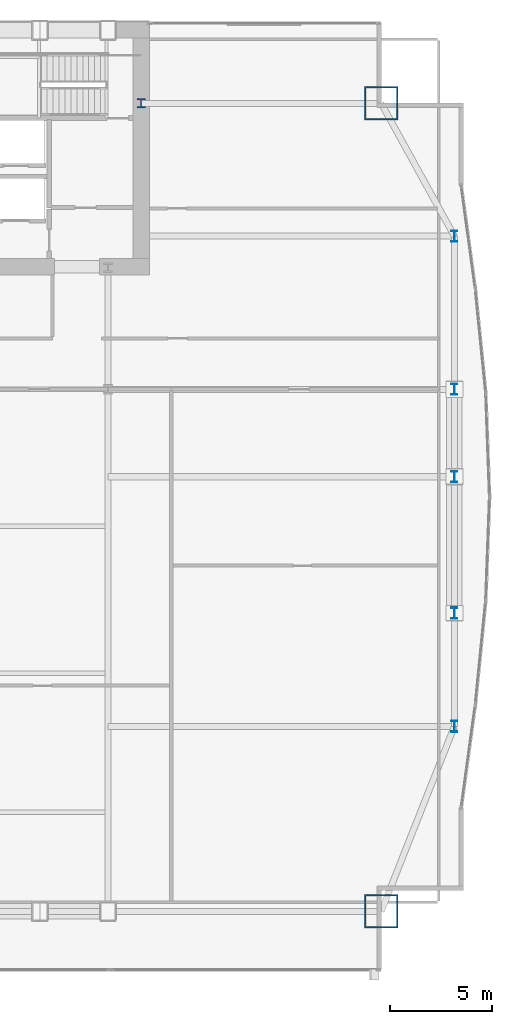
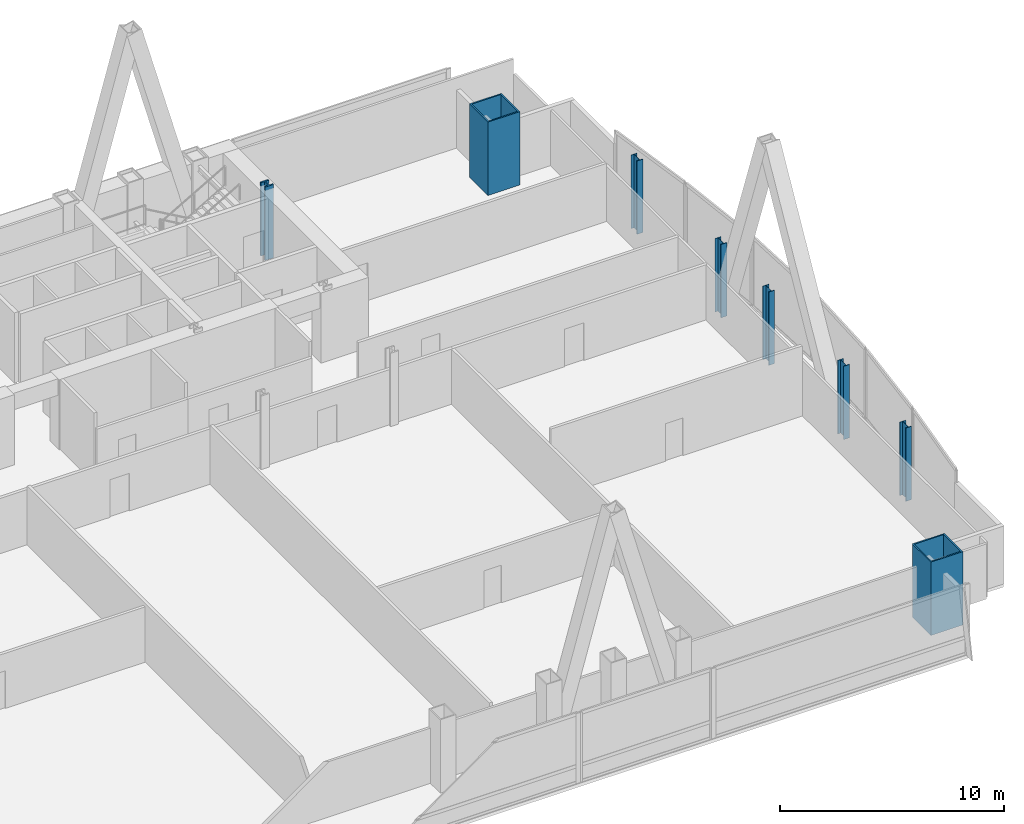
# One storey, part 4 of 35: 8 columns.
"""IFC4 building model written with IfcOpenShell, lengths in metres."""

import ifcopenshell
import ifcopenshell.guid

model = None  # the IFC model being written
_history = None  # IfcOwnerHistory: only IFC2X3 demands one
_inside = {}  # id of a spatial element -> (the spatial element, [elements in it])
_under = {}  # id of a project, library or spatial element -> (it, [spatial elements below it])
_declared = {}  # id of a project -> (the project, [libraries it declares])
_typed = {}  # id of a type object -> (the type object, [elements of that type])
_made_of = {}  # id of a material, layer set ... -> (it, [elements and type objects made of it])


def new_model(schema):
    """Start an empty IFC model of exactly this schema.

    Asked for "IFC4X3", IfcOpenShell would pick the latest addendum, in which some entities
    have other attributes; the version numbers below select the first issue.
    IFC2X3 requires an IfcOwnerHistory on every rooted entity: one is made here for all.
    """
    global model, _history
    if schema == "IFC4X3":
        model = ifcopenshell.file(schema_version=(4, 3, 0, 0))
    else:
        model = ifcopenshell.file(schema=schema)
    _inside.clear()
    _under.clear()
    _declared.clear()
    _typed.clear()
    _made_of.clear()
    _history = None
    if model.schema == "IFC2X3":
        org = make("IfcOrganization", Name="unknown")
        user = make(
            "IfcPersonAndOrganization",
            ThePerson=make("IfcPerson", FamilyName="unknown"),
            TheOrganization=org,
        )
        app = make(
            "IfcApplication",
            ApplicationDeveloper=org,
            Version="unknown",
            ApplicationFullName="unknown",
            ApplicationIdentifier="unknown",
        )
        _history = make(
            "IfcOwnerHistory",
            OwningUser=user,
            OwningApplication=app,
            ChangeAction="ADDED",
            CreationDate=0,
        )
    return model


def make(cls, **values):
    """One entity of the class cls with the attributes given. An attribute that is None is left unset."""
    return model.create_entity(
        cls, **{name: value for name, value in values.items() if value is not None}
    )


def rooted(cls, **values):
    """An entity with a GlobalId (a new one), such as an element, a storey or a relation."""
    return make(cls, GlobalId=ifcopenshell.guid.new(), OwnerHistory=_history, **values)


def si_unit(unit_type, name, prefix=None):
    """IfcSIUnit, for example si_unit("LENGTHUNIT", "METRE", prefix="MILLI")."""
    return make("IfcSIUnit", UnitType=unit_type, Prefix=prefix, Name=name)


def assignment(units):
    """IfcUnitAssignment: the units of a project."""
    return None if units is None else make("IfcUnitAssignment", Units=units)


def point(xyz):
    """IfcCartesianPoint."""
    return None if xyz is None else make("IfcCartesianPoint", Coordinates=xyz)


def direction(xyz):
    """IfcDirection."""
    return None if xyz is None else make("IfcDirection", DirectionRatios=xyz)


def frame(location, z_axis=None, x_axis=None):
    """IfcAxis2Placement3D, a coordinate frame: its origin and axes. An axis left out is left unset."""
    return make(
        "IfcAxis2Placement3D",
        Location=point(location),
        Axis=direction(z_axis),
        RefDirection=direction(x_axis),
    )


def frame_2d(location, x_axis=None):
    """IfcAxis2Placement2D, a coordinate frame in the plane: its origin and x axis."""
    return make(
        "IfcAxis2Placement2D", Location=point(location), RefDirection=direction(x_axis)
    )


def origin():
    """The frame at (0, 0, 0) with its axes left unset."""
    return frame((0.0, 0.0, 0.0))


def origin_2d():
    """The frame at (0, 0) in the plane with its x axis left unset."""
    return frame_2d((0.0, 0.0))


def place(relative_to, where):
    """IfcLocalPlacement: puts the frame where relative to a parent placement (None: the world)."""
    return make(
        "IfcLocalPlacement", PlacementRelTo=relative_to, RelativePlacement=where
    )


def context(
    kind, dimensions, precision=None, world=None, true_north=None, identifier=None
):
    """IfcGeometricRepresentationContext, for example the 3D "Model" context."""
    return make(
        "IfcGeometricRepresentationContext",
        ContextIdentifier=identifier,
        ContextType=kind,
        CoordinateSpaceDimension=dimensions,
        Precision=precision,
        WorldCoordinateSystem=world,
        TrueNorth=true_north,
    )


def subcontext(parent, identifier, kind, view, scale=None):
    """IfcGeometricRepresentationSubContext, for example "Body" below "Model"."""
    return make(
        "IfcGeometricRepresentationSubContext",
        ContextIdentifier=identifier,
        ContextType=kind,
        ParentContext=parent,
        TargetScale=scale,
        TargetView=view,
    )


def project(units=None, contexts=None):
    """IfcProject with its units and contexts."""
    return rooted(
        "IfcProject",
        Name="project",
        RepresentationContexts=contexts,
        UnitsInContext=assignment(units),
    )


def spatial(cls, under=None, at=None, **own):
    """A site, building, storey or space (cls), placed at a placement, below another one or the project."""
    s = rooted(cls, ObjectPlacement=at, **own)
    if under is not None:
        _under.setdefault(under.id(), (under, []))[1].append(s)
    return s


def profile(cls, at=None, kind="AREA", **sizes):
    """A parametric profile (cls). Its sizes go by their IFC names, for example OverallWidth=200.0."""
    return make(cls, ProfileType=kind, Position=at, **sizes)


def hollow_rectangle(**sizes):
    """IfcRectangleHollowProfileDef."""
    return profile("IfcRectangleHollowProfileDef", **sizes)


def i_section(**sizes):
    """IfcIShapeProfileDef."""
    return profile("IfcIShapeProfileDef", **sizes)


def extrude(swept, where, along, depth):
    """IfcExtrudedAreaSolid: the profile swept, set in the frame where, extruded along a direction by depth."""
    return make(
        "IfcExtrudedAreaSolid",
        SweptArea=swept,
        Position=where,
        ExtrudedDirection=direction(along),
        Depth=depth,
    )


def shape(context_of_items, identifier, shape_type, items):
    """IfcShapeRepresentation: the items that make up one representation, for example the "Body"."""
    return make(
        "IfcShapeRepresentation",
        ContextOfItems=context_of_items,
        RepresentationIdentifier=identifier,
        RepresentationType=shape_type,
        Items=items,
    )


def material(Name=None, Category=None):
    """IfcMaterial."""
    return make("IfcMaterial", Name=Name, Category=Category)


def material_profile(
    of_material, cross_section, Name=None, Category=None, Priority=None
):
    """IfcMaterialProfile: a cross section and its material."""
    return make(
        "IfcMaterialProfile",
        Name=Name,
        Material=of_material,
        Profile=cross_section,
        Priority=Priority,
        Category=Category,
    )


def profile_set(profiles, Name=None, composite=None):
    """IfcMaterialProfileSet."""
    return make(
        "IfcMaterialProfileSet",
        Name=Name,
        MaterialProfiles=profiles,
        CompositeProfile=composite,
    )


def made_of(thing, what):
    """Note that an element or type object is made of a material, layer set ...; save() writes the relation."""
    if what is not None:
        _made_of.setdefault(what.id(), (what, []))[1].append(thing)
    return thing


def type_object(cls, material=None, **own):
    """A type object (cls), such as IfcWallType, which elements share."""
    return made_of(rooted(cls, **own), material)


def element(
    cls,
    number,
    at=None,
    inside=None,
    cuts=None,
    type_object=None,
    material=None,
    context=None,
    identifier="Body",
    shape_type=None,
    held_by="IfcProductDefinitionShape",
    body=None,
    shapes=None,
    **own,
):
    """One element of the class cls, such as IfcWall. Its Tag is "e" and its number.

    at: its placement. inside: the storey or other place that contains it. cuts: it is an
    opening in that element (IfcRelVoidsElement). A single representation is given by context,
    identifier, shape_type and body (its items); several are given by shapes. held_by: the class
    of the entity that holds the representations. save() writes the other relations.
    """
    e = rooted(cls, Tag="e%d" % number, ObjectPlacement=at, **own)
    if body is not None:
        shapes = [shape(context, identifier, shape_type, body)]
    if shapes is not None:
        e.Representation = make(held_by, Representations=shapes)
    if inside is not None:
        _inside.setdefault(inside.id(), (inside, []))[1].append(e)
    if cuts is not None:
        rooted(
            "IfcRelVoidsElement", RelatingBuildingElement=cuts, RelatedOpeningElement=e
        )
    if type_object is not None:
        _typed.setdefault(type_object.id(), (type_object, []))[1].append(e)
    return made_of(e, material)


def aggregate(whole, parts):
    """IfcRelAggregates: a whole, such as a stair, and the parts it consists of."""
    return rooted("IfcRelAggregates", RelatingObject=whole, RelatedObjects=parts)


def save(model, path):
    """Write the relations noted so far, then the file.

    IfcRelAggregates (storeys below a building ...), IfcRelContainedInSpatialStructure (elements
    in a storey), IfcRelDefinesByType, IfcRelAssociatesMaterial and IfcRelDeclares: one each for
    every whole, place, type object, material and project.
    """
    for whole, parts in _under.values():
        aggregate(whole, parts)
    for where, things in _inside.values():
        rooted(
            "IfcRelContainedInSpatialStructure",
            RelatedElements=things,
            RelatingStructure=where,
        )
    for kind, things in _typed.values():
        rooted("IfcRelDefinesByType", RelatedObjects=things, RelatingType=kind)
    for what, things in _made_of.values():
        rooted("IfcRelAssociatesMaterial", RelatedObjects=things, RelatingMaterial=what)
    for by, libraries in _declared.values():
        rooted("IfcRelDeclares", RelatingContext=by, RelatedDefinitions=libraries)
    model.write(path)


model = new_model("IFC4")

# Units and contexts
model_context = context("Model", 3, precision=1e-05, world=origin(), true_north=direction((0.0, 1.0)))
body_context = subcontext(model_context, "Body", "Model", "MODEL_VIEW")
ifc_project = project(units=[si_unit("LENGTHUNIT", "METRE"), si_unit("AREAUNIT", "SQUARE_METRE"), si_unit("VOLUMEUNIT", "CUBIC_METRE"), si_unit("PLANEANGLEUNIT", "RADIAN"), si_unit("MASSUNIT", "GRAM", prefix="KILO")], contexts=[model_context])

# Site, building, storey
site_placement = place(None, origin())
site = spatial("IfcSite", under=ifc_project, at=site_placement, CompositionType="ELEMENT")
building_placement = place(site_placement, origin())
building = spatial("IfcBuilding", under=site, at=building_placement, Name="Khoronbel Lancet Exchange", CompositionType="ELEMENT")
storey_placement = place(building_placement, frame((0.0, 0.0, 37.800048828125)))
storey = spatial("IfcBuildingStorey", under=building, at=storey_placement, Name="L08", CompositionType="ELEMENT", Elevation=37.800048828125)

# Columns
ifc_material_1 = material(Name="Steel S460", Category="steel")
ifc_material_profile_1 = material_profile(ifc_material_1, i_section(OverallWidth=0.424072265625, OverallDepth=0.47412109375, WebThickness=0.047607421875, FlangeThickness=0.076904296875, at=origin_2d()), Name="HD 400x634")
ifc_profile_set_1 = profile_set([ifc_material_profile_1], Name="Steel S460")
column_type_1 = type_object("IfcColumnType", Name="COL-IC1", PredefinedType="COLUMN", material=ifc_profile_set_1)
column_placement = place(storey_placement, frame((56.300048828125, 49.699951171875, 0.0), z_axis=(0.0, 0.0, 1.0), x_axis=(1.0, 0.0, 0.0)))
element("IfcColumn", 1, at=column_placement, inside=storey, type_object=column_type_1, Name="Core-flank plumb transfer column CFE L08", PredefinedType="COLUMN", context=body_context, shape_type="SweptSolid", body=[
    extrude(i_section(OverallWidth=0.424072265625, OverallDepth=0.47412109375, WebThickness=0.047607421875, FlangeThickness=0.076904296875, at=origin_2d()), origin(), (0.0, 0.0, 1.0), 4.0),
])
ifc_material_2 = material(Name="Steel S355", Category="steel")
ifc_material_profile_2 = material_profile(ifc_material_2, i_section(OverallWidth=0.300048828125, OverallDepth=0.550048828125, WebThickness=0.014892578125, FlangeThickness=0.029052734375, at=origin_2d()), Name="HEB 550")
ifc_profile_set_2 = profile_set([ifc_material_profile_2], Name="Steel S355")
column_type_2 = type_object("IfcColumnType", Name="COL-LC1", PredefinedType="COLUMN", material=ifc_profile_set_2)
for number, where, z_axis, x_axis, name in (
    (2, (71.6298828125, 19.199951171875, 0.0), (0.0, 0.0, 1.0), (1.0, 0.0, 0.0), "Structural column EC-1 L08"),
    (3, (71.6298828125, 24.75, 0.0), (0.0, 0.0, 1.0), (1.0, 0.0, 0.0), "Structural column EC-2 L08"),
    (4, (71.6298828125, 31.425048828125, 0.0), (0.0, 0.0, 1.0), (1.0, 0.0, 0.0), "Structural column EC-M L08"),
    (5, (71.6298828125, 35.699951171875, 0.0), (0.0, 0.0, 1.0), (1.0, 0.0, 0.0), "Structural column EC-3 L08"),
    (6, (71.6298828125, 43.199951171875, 0.0), (0.0, 0.0, 1.0), (1.0, 0.0, 0.0), "Structural column EC-4 L08"),
):
    element("IfcColumn", number, at=place(storey_placement, frame(where, z_axis=z_axis, x_axis=x_axis)), inside=storey, type_object=column_type_2, Name=name, PredefinedType="COLUMN", context=body_context, shape_type="SweptSolid", body=[
        extrude(i_section(OverallWidth=0.300048828125, OverallDepth=0.550048828125, WebThickness=0.014892578125, FlangeThickness=0.029052734375, at=origin_2d()), origin(), (0.0, 0.0, 1.0), 4.0),
    ])
ifc_material_profile_3 = material_profile(ifc_material_1, hollow_rectangle(XDim=1.64990234375, YDim=1.64990234375, WallThickness=0.074951171875, at=origin_2d()), Name="BOX 1650x1650x75")
ifc_profile_set_3 = profile_set([ifc_material_profile_3], Name="Steel S460")
column_type_3 = type_object("IfcColumnType", Name="COL-MC2", PredefinedType="COLUMN", material=ifc_profile_set_3)
for number, where, z_axis, x_axis, name in (
    (7, (68.050048828125, 10.14990234375, 0.0), (0.0, 0.0, 1.0), (1.0, 0.0, 0.0), "Structural column MC-SE L08"),
    (8, (68.050048828125, 49.699951171875, 0.0), (0.0, 0.0, 1.0), (1.0, 0.0, 0.0), "Structural column MC-NE L08"),
):
    element("IfcColumn", number, at=place(storey_placement, frame(where, z_axis=z_axis, x_axis=x_axis)), inside=storey, type_object=column_type_3, Name=name, PredefinedType="COLUMN", context=body_context, shape_type="SweptSolid", body=[
        extrude(hollow_rectangle(XDim=1.64990234375, YDim=1.64990234375, WallThickness=0.074951171875, at=origin_2d()), origin(), (0.0, 0.0, 1.0), 4.0),
    ])

save(model, "model.ifc")
